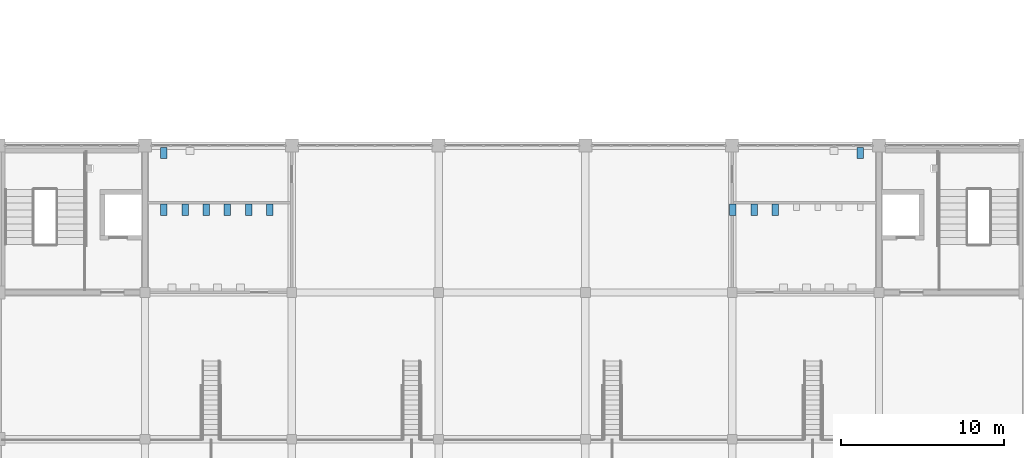
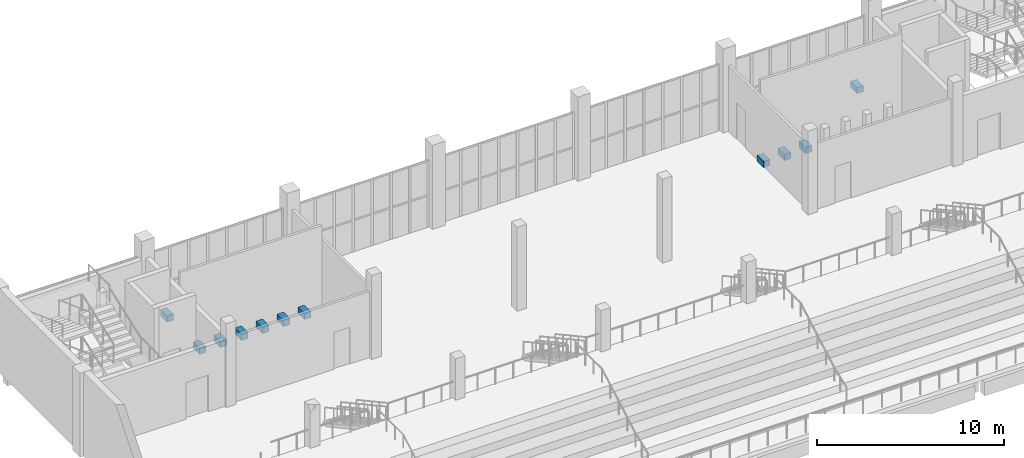
# One storey, part 145 of 185: 11 discrete accessories.
"""IFC4 building model written with IfcOpenShell, lengths in metres."""

from ifc_helpers import new_model, si_unit, direction, frame, origin, origin_2d, place, context, subcontext, project, spatial, rectangle, extrude, material, type_object, element, save


model = new_model("IFC4")

# Units and contexts
model_context = context("Model", 3, precision=1e-05, world=origin(), true_north=direction((0.0, 1.0)))
body_context = subcontext(model_context, "Body", "Model", "MODEL_VIEW")
ifc_project = project(units=[si_unit("LENGTHUNIT", "METRE"), si_unit("AREAUNIT", "SQUARE_METRE"), si_unit("VOLUMEUNIT", "CUBIC_METRE"), si_unit("PLANEANGLEUNIT", "RADIAN"), si_unit("MASSUNIT", "GRAM", prefix="KILO")], contexts=[model_context])

# Site, building, storey
site_placement = place(None, origin())
site = spatial("IfcSite", under=ifc_project, at=site_placement, CompositionType="ELEMENT")
building_placement = place(site_placement, origin())
building = spatial("IfcBuilding", under=site, at=building_placement, Name="Opaline Strait Convention Centre", CompositionType="ELEMENT")
storey_placement = place(building_placement, frame((0.0, 0.0, 6.0)))
storey = spatial("IfcBuildingStorey", under=building, at=storey_placement, Name="L01", CompositionType="ELEMENT", Elevation=6.0)

# Discrete accessories
ifc_material = material(Name="Vitreous china, white")
discrete_accessory_type = type_object("IfcDiscreteAccessoryType", Name="WC pan 400 x 700", PredefinedType="USERDEFINED", material=ifc_material)
for number, where, z_axis, x_axis, name in (
    (1, (19.14990234375, 176.074951171875, 0.0), (0.0, 0.0, 1.0), (1.0, 0.0, 0.0), "PFX1 wc 01"),
    (2, (20.449951171875, 176.074951171875, 0.0), (0.0, 0.0, 1.0), (1.0, 0.0, 0.0), "PFX1 wc 02"),
    (3, (21.75, 176.074951171875, 0.0), (0.0, 0.0, 1.0), (1.0, 0.0, 0.0), "PFX1 wc 03"),
    (4, (23.050048828125, 176.074951171875, 0.0), (0.0, 0.0, 1.0), (1.0, 0.0, 0.0), "PFX1 wc 04"),
    (5, (24.35009765625, 176.074951171875, 0.0), (0.0, 0.0, 1.0), (1.0, 0.0, 0.0), "PFX1 wc 05"),
    (6, (25.64990234375, 176.074951171875, 0.0), (0.0, 0.0, 1.0), (1.0, 0.0, 0.0), "PFX1 wc 06"),
    (7, (19.14990234375, 179.550048828125, 0.0), (0.0, 0.0, 1.0), (1.0, 0.0, 0.0), "PFX1 wc A1"),
    (8, (56.64990234375, 176.074951171875, 0.0), (0.0, 0.0, 1.0), (1.0, 0.0, 0.0), "PFX1 wc 05"),
    (9, (55.35009765625, 176.074951171875, 0.0), (0.0, 0.0, 1.0), (1.0, 0.0, 0.0), "PFX1 wc 06"),
    (10, (54.050048828125, 176.074951171875, 0.0), (0.0, 0.0, 1.0), (1.0, 0.0, 0.0), "PFX1 wc 07"),
    (11, (61.85009765625, 179.550048828125, 0.0), (0.0, 0.0, 1.0), (1.0, 0.0, 0.0), "PFX1 wc A1"),
):
    element("IfcDiscreteAccessory", number, at=place(storey_placement, frame(where, z_axis=z_axis, x_axis=x_axis)), inside=storey, type_object=discrete_accessory_type, Name=name, ObjectType="SANITARY FITTING", PredefinedType="USERDEFINED", context=body_context, shape_type="SweptSolid", body=[
        extrude(rectangle(XDim=0.39990234375, YDim=0.699951171875, at=origin_2d()), origin(), (0.0, 0.0, 1.0), 0.39990234375),
    ])

save(model, "model.ifc")
